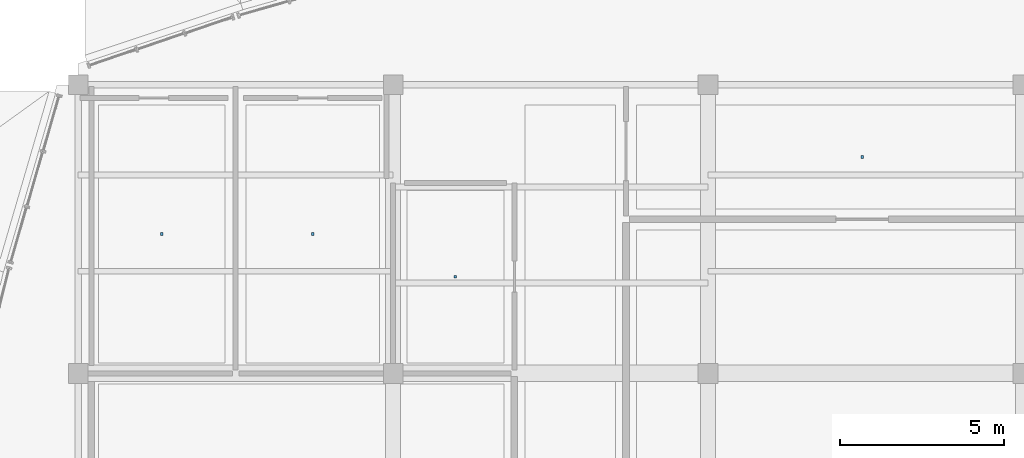
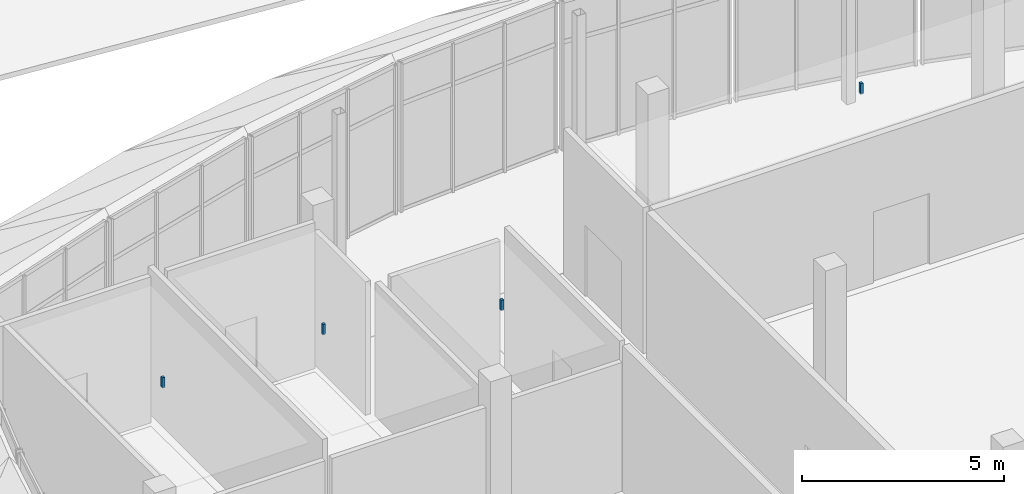
# One storey, part 93 of 116: 4 discrete accessories.
"""IFC4 building model written with IfcOpenShell, lengths in metres."""

from ifc_helpers import new_model, si_unit, direction, frame, origin, origin_2d, place, context, subcontext, project, spatial, rectangle, extrude, material, type_object, element, save


model = new_model("IFC4")

# Units and contexts
model_context = context("Model", 3, precision=1e-05, world=origin(), true_north=direction((0.0, 1.0)))
body_context = subcontext(model_context, "Body", "Model", "MODEL_VIEW")
ifc_project = project(units=[si_unit("LENGTHUNIT", "METRE"), si_unit("AREAUNIT", "SQUARE_METRE"), si_unit("VOLUMEUNIT", "CUBIC_METRE"), si_unit("PLANEANGLEUNIT", "RADIAN"), si_unit("MASSUNIT", "GRAM", prefix="KILO")], contexts=[model_context])

# Site, building, storey
site_placement = place(None, origin())
site = spatial("IfcSite", under=ifc_project, at=site_placement, CompositionType="ELEMENT")
building_placement = place(site_placement, origin())
building = spatial("IfcBuilding", under=site, at=building_placement, Name="Chalmorin Arch Market", CompositionType="ELEMENT")
storey_placement = place(building_placement, origin())
storey = spatial("IfcBuildingStorey", under=building, at=storey_placement, Name="L00", CompositionType="ELEMENT", Elevation=0.0)

# Discrete accessories
ifc_material = material(Name="Galvanized Cold-Formed Steel", Category="steel")
discrete_accessory_type = type_object("IfcDiscreteAccessoryType", Name="CeilingSuspensionBracket-80x80", PredefinedType="BRACKET", material=ifc_material)
discrete_accessory_placement = place(storey_placement, frame((23.89990234375, 47.800048828125, 4.253173828125), z_axis=(0.0, 0.0, 1.0), x_axis=(1.0, 0.0, 0.0)))
element("IfcDiscreteAccessory", 1, at=discrete_accessory_placement, inside=storey, type_object=discrete_accessory_type, Name="CSB-098", PredefinedType="BRACKET", context=body_context, shape_type="SweptSolid", body=[
    extrude(rectangle(XDim=0.080078125, YDim=0.080078125, at=origin_2d()), origin(), (0.0, 0.0, 1.0), 0.31689453125),
])
for number, where, z_axis, x_axis, name in (
    (2, (2.550048828125, 45.449951171875, 4.261962890625), (0.0, 0.0, 1.0), (1.0, 0.0, 0.0), "CSB-100"),
    (3, (7.14990234375, 45.449951171875, 4.261962890625), (0.0, 0.0, 1.0), (1.0, 0.0, 0.0), "CSB-102"),
    (4, (11.5, 44.14990234375, 4.261962890625), (0.0, 0.0, 1.0), (1.0, 0.0, 0.0), "CSB-104"),
):
    element("IfcDiscreteAccessory", number, at=place(storey_placement, frame(where, z_axis=z_axis, x_axis=x_axis)), inside=storey, type_object=discrete_accessory_type, Name=name, PredefinedType="BRACKET", context=body_context, shape_type="SweptSolid", body=[
        extrude(rectangle(XDim=0.080078125, YDim=0.080078125, at=origin_2d()), origin(), (0.0, 0.0, 1.0), 0.30810546875),
    ])

save(model, "model.ifc")
